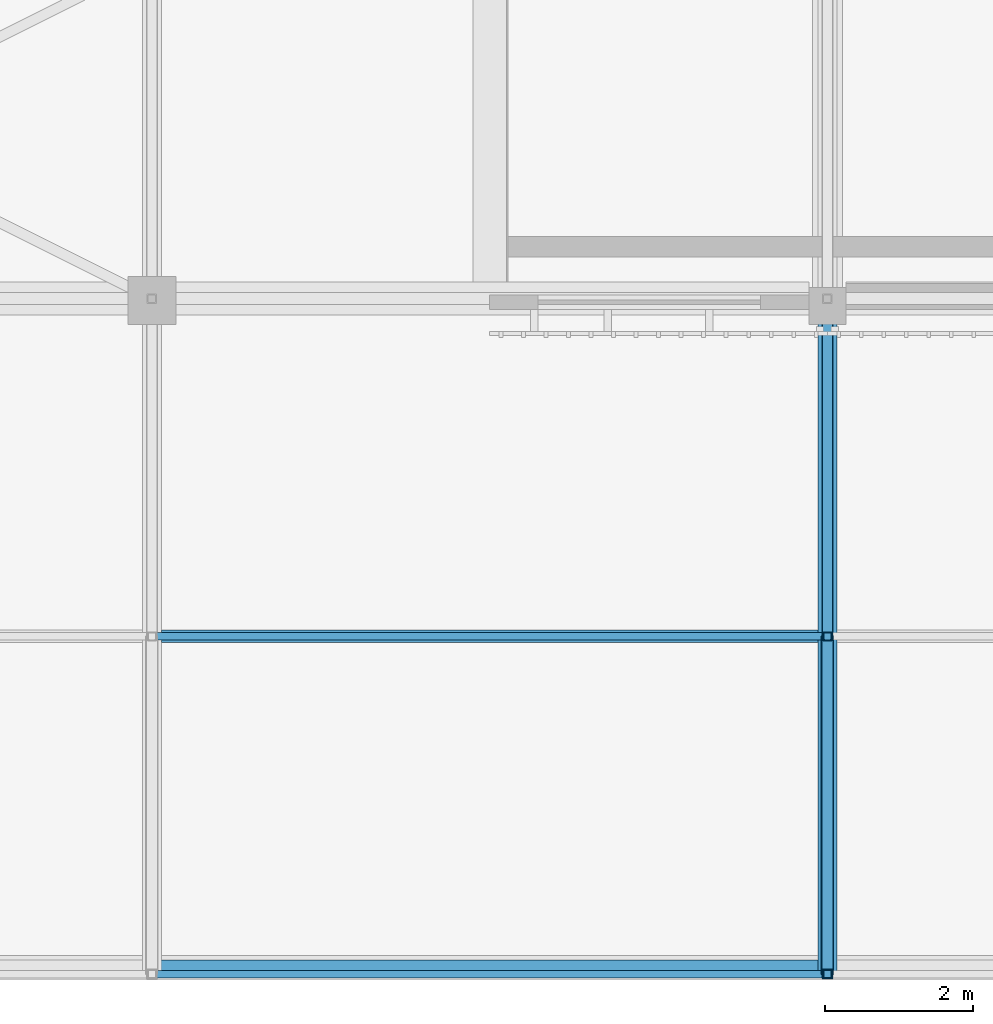
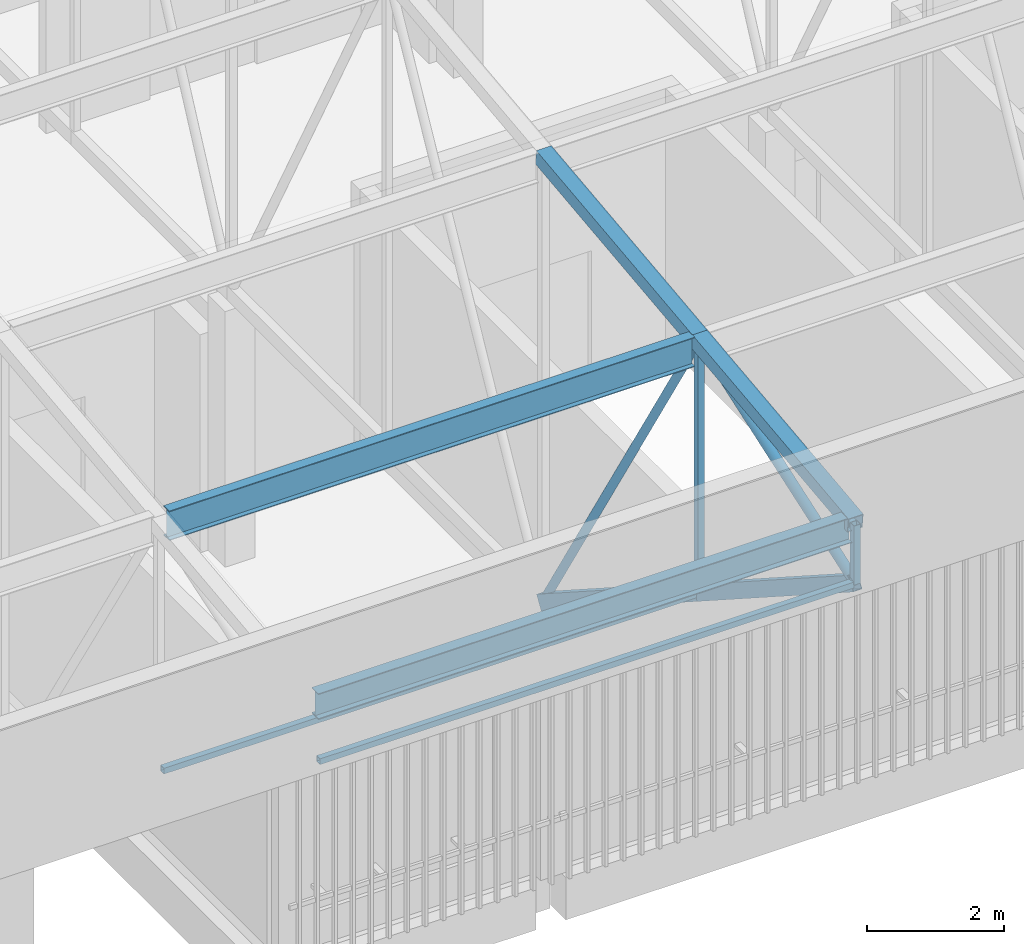
# One storey, part 113 of 500: 12 members.
"""IFC4 building model written with IfcOpenShell, lengths in metres."""

from ifc_helpers import new_model, si_unit, direction, frame, origin, origin_2d, place, context, subcontext, project, spatial, hollow_rectangle, hollow_circle, i_section, extrude, material, material_profile, profile_set, type_object, element, save


model = new_model("IFC4")

# Units and contexts
model_context = context("Model", 3, precision=1e-05, world=origin(), true_north=direction((0.0, 1.0)))
body_context = subcontext(model_context, "Body", "Model", "MODEL_VIEW")
ifc_project = project(units=[si_unit("LENGTHUNIT", "METRE"), si_unit("AREAUNIT", "SQUARE_METRE"), si_unit("VOLUMEUNIT", "CUBIC_METRE"), si_unit("PLANEANGLEUNIT", "RADIAN"), si_unit("MASSUNIT", "GRAM", prefix="KILO")], contexts=[model_context])

# Site, building, storey
site_placement = place(None, origin())
site = spatial("IfcSite", under=ifc_project, at=site_placement, CompositionType="ELEMENT")
building_placement = place(site_placement, origin())
building = spatial("IfcBuilding", under=site, at=building_placement, Name="Shirokan Park Arena", CompositionType="ELEMENT")
storey_placement = place(building_placement, frame((0.0, 0.0, 29.1201171875)))
storey = spatial("IfcBuildingStorey", under=building, at=storey_placement, Name="L06", CompositionType="ELEMENT", Elevation=29.1201171875)

# Members
ifc_material_1 = material(Name="Steel ASTM A500 Grade C", Category="steel")
ifc_material_profile_1 = material_profile(ifc_material_1, hollow_rectangle(XDim=0.152099609375, YDim=0.25390625, WallThickness=0.009521484375, at=origin_2d()), Name="HSS254X152.4X9.5")
ifc_profile_set_1 = profile_set([ifc_material_profile_1], Name="Steel ASTM A500 Grade C")
member_type_1 = type_object("IfcMemberType", Name="Bottom chord HSS254X152.4X9.5", PredefinedType="CHORD", material=ifc_profile_set_1)
for number, where, z_axis, x_axis, name in (
    (1, (109.199951171875, -9.10009765625, 10.531982421875), (0.0, 0.840971691661, -0.541079119746), (-1.0, 0.0, 0.0), "Truss T13 bottom chord 1"),
    (2, (109.199951171875, -4.550048828125, 7.6044921875), (0.0, 0.840971691661, -0.541079119746), (-1.0, 0.0, 0.0), "Truss T13 bottom chord 2"),
):
    element("IfcMember", number, at=place(storey_placement, frame(where, z_axis=z_axis, x_axis=x_axis)), inside=storey, type_object=member_type_1, Name=name, PredefinedType="CHORD", context=body_context, shape_type="SweptSolid", body=[
        extrude(hollow_rectangle(XDim=0.152099609375, YDim=0.25390625, WallThickness=0.009521484375, at=origin_2d()), origin(), (0.0, 0.0, 1.0), 5.410400390625),
    ])
ifc_material_profile_2 = material_profile(ifc_material_1, hollow_rectangle(XDim=0.10205078125, YDim=0.10205078125, WallThickness=0.00634765625, at=origin_2d()), Name="HSS101.6X101.6X6.4")
ifc_profile_set_2 = profile_set([ifc_material_profile_2], Name="Steel ASTM A500 Grade C")
member_type_2 = type_object("IfcMemberType", Name="Eave soffit rail HSS101.6X101.6X6.4", PredefinedType="USERDEFINED", material=ifc_profile_set_2)
for number, where, z_axis, x_axis, name in (
    (3, (100.156982421875, -9.10009765625, 10.531982421875), (1.0, 0.0, 0.0), (0.0, 1.0, 0.0), "Eave soffit rail S 1 bay 12"),
    (4, (100.156982421875, -4.550048828125, 7.6044921875), (1.0, 0.0, 0.0), (0.0, 1.0, 0.0), "Eave soffit rail S 2 bay 12"),
):
    element("IfcMember", number, at=place(storey_placement, frame(where, z_axis=z_axis, x_axis=x_axis)), inside=storey, type_object=member_type_2, Name=name, ObjectType="EAVE SOFFIT RAIL", PredefinedType="USERDEFINED", context=body_context, shape_type="SweptSolid", body=[
        extrude(hollow_rectangle(XDim=0.10205078125, YDim=0.10205078125, WallThickness=0.00634765625, at=origin_2d()), origin(), (0.0, 0.0, 1.0), 8.986083984375),
    ])
ifc_material_2 = material(Name="Steel ASTM A992", Category="steel")
ifc_material_profile_3 = material_profile(ifc_material_2, i_section(OverallWidth=0.166015625, OverallDepth=0.528076171875, WebThickness=0.009765625, FlangeThickness=0.013671875, at=origin_2d()), Name="W530X74")
ifc_profile_set_3 = profile_set([ifc_material_profile_3], Name="Steel ASTM A992")
member_type_3 = type_object("IfcMemberType", Name="Purlin W530X74", PredefinedType="PURLIN", material=ifc_profile_set_3)
member_1_placement = place(storey_placement, frame((100.22705078125, -4.550048828125, 11.9658203125), z_axis=(1.0, 0.0, 0.0), x_axis=(0.0, 1.0, 0.0)))
element("IfcMember", 5, at=member_1_placement, inside=storey, type_object=member_type_3, Name="Purlin 2 bay 12", PredefinedType="PURLIN", context=body_context, shape_type="SweptSolid", body=[
    extrude(i_section(OverallWidth=0.166015625, OverallDepth=0.528076171875, WebThickness=0.009765625, FlangeThickness=0.013671875, at=origin_2d()), origin(), (0.0, 0.0, 1.0), 8.845947265625),
])
ifc_material_profile_4 = material_profile(ifc_material_2, i_section(OverallWidth=0.19091796875, OverallDepth=0.45703125, WebThickness=0.009033203125, FlangeThickness=0.014404296875, at=origin_2d()), Name="W460X74")
ifc_profile_set_4 = profile_set([ifc_material_profile_4], Name="Steel ASTM A992")
member_type_4 = type_object("IfcMemberType", Name="Roof edge beam W460X74", PredefinedType="USERDEFINED", material=ifc_profile_set_4)
member_2_placement = place(storey_placement, frame((100.156982421875, -9.00439453125, 11.4814453125), z_axis=(1.0, 0.0, 0.0), x_axis=(0.0, 1.0, 0.0)))
element("IfcMember", 6, at=member_2_placement, inside=storey, type_object=member_type_4, Name="Roof edge beam S 13", ObjectType="ROOF EDGE BEAM", PredefinedType="USERDEFINED", context=body_context, shape_type="SweptSolid", body=[
    extrude(i_section(OverallWidth=0.19091796875, OverallDepth=0.45703125, WebThickness=0.009033203125, FlangeThickness=0.014404296875, at=origin_2d()), origin(), (0.0, 0.0, 1.0), 8.986083984375),
])
ifc_material_profile_5 = material_profile(ifc_material_1, hollow_rectangle(XDim=0.25390625, YDim=0.25390625, WallThickness=0.009521484375, at=origin_2d()), Name="HSS254X254X9.5")
ifc_profile_set_5 = profile_set([ifc_material_profile_5], Name="Steel ASTM A500 Grade C")
member_type_5 = type_object("IfcMemberType", Name="Top chord HSS254X254X9.5", PredefinedType="CHORD", material=ifc_profile_set_5)
for number, where, z_axis, x_axis, name in (
    (7, (109.199951171875, -9.10009765625, 11.582763671875), (0.0, 0.993532328996, 0.113549598152), (-1.0, 0.0, 0.0), "Truss T13 top chord 1"),
    (8, (109.199951171875, -4.550048828125, 12.102783203125), (0.0, 0.993532328996, 0.113549598152), (-1.0, 0.0, 0.0), "Truss T13 top chord 2"),
):
    element("IfcMember", number, at=place(storey_placement, frame(where, z_axis=z_axis, x_axis=x_axis)), inside=storey, type_object=member_type_5, Name=name, PredefinedType="CHORD", context=body_context, shape_type="SweptSolid", body=[
        extrude(hollow_rectangle(XDim=0.25390625, YDim=0.25390625, WallThickness=0.009521484375, at=origin_2d()), origin(), (0.0, 0.0, 1.0), 4.57958984375),
    ])
ifc_material_profile_6 = material_profile(ifc_material_1, hollow_circle(Radius=0.070556640625, WallThickness=0.006591796875, at=origin_2d()), Name="HSS141.3X6.6")
ifc_profile_set_6 = profile_set([ifc_material_profile_6], Name="Steel ASTM A500 Grade C")
member_type_6 = type_object("IfcMemberType", Name="Truss diagonal HSS141.3X6.6", PredefinedType="BRACE", material=ifc_profile_set_6)
member_3_placement = place(storey_placement, frame((109.199951171875, -4.550048828125, 12.102783203125), z_axis=(0.0, 0.522458847856, -0.852664501605), x_axis=(-1.0, 0.0, 0.0)))
element("IfcMember", 9, at=member_3_placement, inside=storey, type_object=member_type_6, Name="Truss T13 diagonal 2", PredefinedType="BRACE", context=body_context, shape_type="SweptSolid", body=[
    extrude(hollow_circle(Radius=0.070556640625, WallThickness=0.006591796875, at=origin_2d()), origin(), (0.0, 0.0, 1.0), 8.708984375),
])
ifc_material_profile_7 = material_profile(ifc_material_1, hollow_circle(Radius=0.083984375, WallThickness=0.009521484375, at=origin_2d()), Name="HSS168.3X9.5")
ifc_profile_set_7 = profile_set([ifc_material_profile_7], Name="Steel ASTM A500 Grade C")
member_type_7 = type_object("IfcMemberType", Name="Truss diagonal HSS168.3X9.5", PredefinedType="BRACE", material=ifc_profile_set_7)
member_4_placement = place(storey_placement, frame((109.199951171875, -9.10009765625, 10.531982421875), z_axis=(0.0, 0.945256498603, 0.326328288459), x_axis=(-1.0, 0.0, 0.0)))
element("IfcMember", 10, at=member_4_placement, inside=storey, type_object=member_type_7, Name="Truss T13 diagonal 1", PredefinedType="BRACE", context=body_context, shape_type="SweptSolid", body=[
    extrude(hollow_circle(Radius=0.083984375, WallThickness=0.009521484375, at=origin_2d()), origin(), (0.0, 0.0, 1.0), 4.8134765625),
])
ifc_material_profile_8 = material_profile(ifc_material_1, hollow_rectangle(XDim=0.114013671875, YDim=0.114013671875, WallThickness=0.00634765625, at=origin_2d()), Name="HSS114.3X114.3X6.4")
ifc_profile_set_8 = profile_set([ifc_material_profile_8], Name="Steel ASTM A500 Grade C")
member_type_8 = type_object("IfcMemberType", Name="Truss post HSS114.3X114.3X6.4", PredefinedType="POST", material=ifc_profile_set_8)
member_5_placement = place(storey_placement, frame((109.199951171875, -9.10009765625, 10.531982421875), z_axis=(0.0, 0.0, 1.0), x_axis=(1.0, 0.0, 0.0)))
element("IfcMember", 11, at=member_5_placement, inside=storey, type_object=member_type_8, Name="Truss T13 post 1", PredefinedType="POST", context=body_context, shape_type="SweptSolid", body=[
    extrude(hollow_rectangle(XDim=0.114013671875, YDim=0.114013671875, WallThickness=0.00634765625, at=origin_2d()), origin(), (0.0, 0.0, 1.0), 1.05078125),
])
member_6_placement = place(storey_placement, frame((109.199951171875, -4.550048828125, 7.6044921875), z_axis=(0.0, 0.0, 1.0), x_axis=(1.0, 0.0, 0.0)))
element("IfcMember", 12, at=member_6_placement, inside=storey, type_object=member_type_8, Name="Truss T13 post 2", PredefinedType="POST", context=body_context, shape_type="SweptSolid", body=[
    extrude(hollow_rectangle(XDim=0.114013671875, YDim=0.114013671875, WallThickness=0.00634765625, at=origin_2d()), origin(), (0.0, 0.0, 1.0), 4.498291015625),
])

save(model, "model.ifc")
